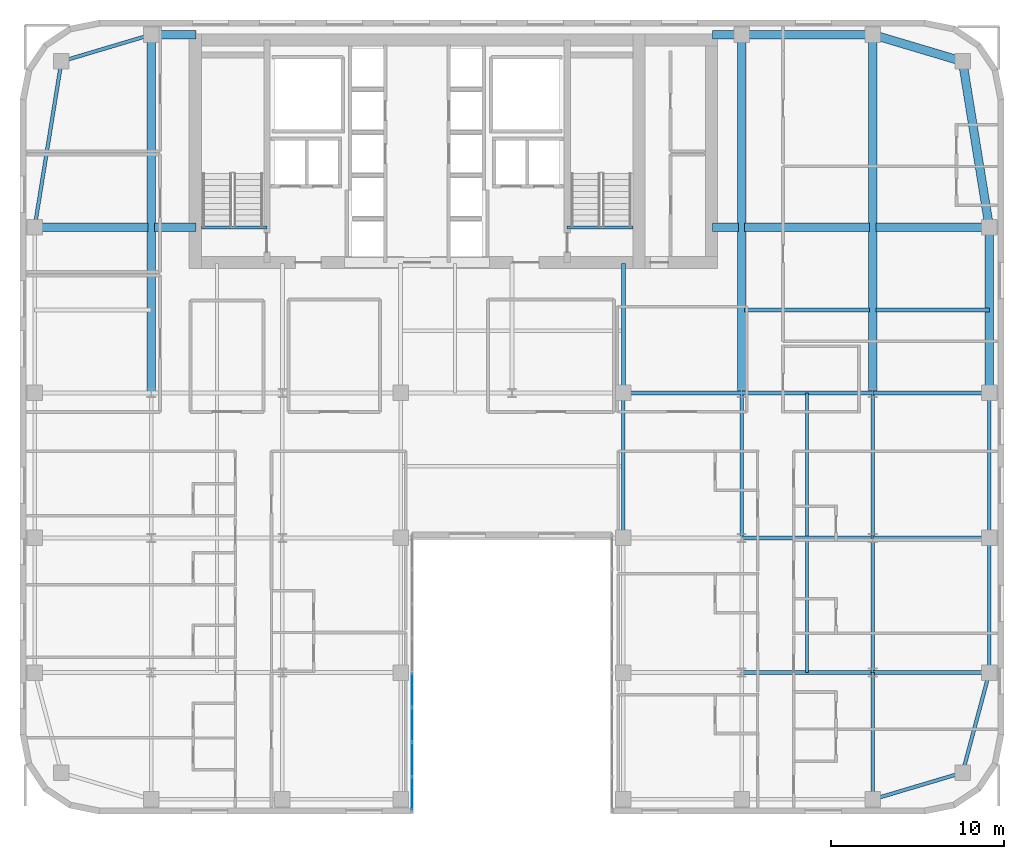
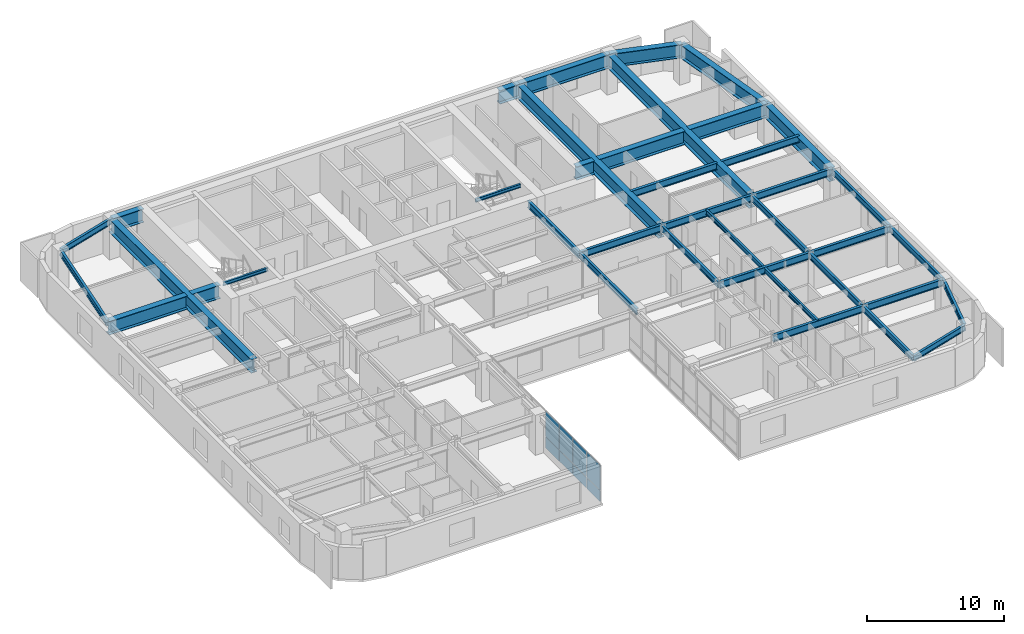
# One storey, part 8 of 17: 39 beams, 8 plates, 1 element without a shape of its own.
"""IFC4 building model written with IfcOpenShell, lengths in metres."""

from ifc_helpers import new_model, si_unit, direction, frame, origin, origin_2d, place, context, subcontext, project, spatial, rectangle, i_section, extrude, source, transform, mapped, material, layer, layer_set, material_profile, profile_set, type_object, type_shapes, element, aggregate, save


model = new_model("IFC4")

# Units and contexts
model_context = context("Model", 3, precision=1e-05, world=origin(), true_north=direction((0.0, 1.0)))
body_context = subcontext(model_context, "Body", "Model", "MODEL_VIEW")
ifc_project = project(units=[si_unit("LENGTHUNIT", "METRE"), si_unit("AREAUNIT", "SQUARE_METRE"), si_unit("VOLUMEUNIT", "CUBIC_METRE"), si_unit("PLANEANGLEUNIT", "RADIAN"), si_unit("MASSUNIT", "GRAM", prefix="KILO")], contexts=[model_context])

# Site, building, storey
site_placement = place(None, origin())
site = spatial("IfcSite", under=ifc_project, at=site_placement, CompositionType="ELEMENT")
building_placement = place(site_placement, origin())
building = spatial("IfcBuilding", under=site, at=building_placement, Name="Tolvann Quenvar Hotel", CompositionType="ELEMENT")
storey_placement = place(building_placement, frame((0.0, 0.0, 108.0)))
storey = spatial("IfcBuildingStorey", under=building, at=storey_placement, Name="L27", CompositionType="ELEMENT", Elevation=108.0)

# Beams
ifc_material_1 = material(Name="Steel Grade 350", Category="steel")
ifc_material_profile_1 = material_profile(ifc_material_1, i_section(OverallWidth=0.5, OverallDepth=1.199951171875, WebThickness=0.01611328125, FlangeThickness=0.0400390625, at=origin_2d()), Name="1200WB455")
ifc_profile_set_1 = profile_set([ifc_material_profile_1], Name="Steel Grade 350")
beam_type_1 = type_object("IfcBeamType", Name="BM_TG_1200WB455", PredefinedType="USERDEFINED", material=ifc_profile_set_1)
shared_shape_1 = source(origin(), body_context, "Body", "SweptSolid", [
    extrude(i_section(OverallWidth=0.5, OverallDepth=1.199951171875, WebThickness=0.01611328125, FlangeThickness=0.0400390625, at=origin_2d()), origin(), (0.0, 0.0, 1.0), 7.599853515625),
])
beam_1_placement = place(storey_placement, frame((49.39990234375, 45.14990234375, 2.77001953125), z_axis=(-1.0, 0.0, 0.0), x_axis=(0.0, -1.0, 0.0)))
element("IfcBeam", 1, at=beam_1_placement, inside=storey, type_object=beam_type_1, Name="BM-L27-FLK-E4", ObjectType="TRANSFER GIRDER", PredefinedType="USERDEFINED", context=body_context, shape_type="MappedRepresentation", body=[
    mapped(shared_shape_1, transform((0.0, 0.0, 0.0), x_axis=(1.0, 0.0, 0.0), y_axis=(0.0, 1.0, 0.0), z_axis=(0.0, 0.0, 1.0), scale=1.0)),
])
shared_shape_2 = source(origin(), body_context, "Body", "SweptSolid", [
    extrude(i_section(OverallWidth=0.5, OverallDepth=1.199951171875, WebThickness=0.01611328125, FlangeThickness=0.0400390625, at=origin_2d()), origin(), (0.0, 0.0, 1.0), 9.60009765625),
])
beam_2_placement = place(storey_placement, frame((56.14990234375, 24.39990234375, 2.77001953125), z_axis=(0.0, 1.0, 0.0), x_axis=(-1.0, 0.0, 0.0)))
element("IfcBeam", 2, at=beam_2_placement, inside=storey, type_object=beam_type_1, Name="BM-L27-FLK-E1", ObjectType="TRANSFER GIRDER", PredefinedType="USERDEFINED", context=body_context, shape_type="MappedRepresentation", body=[
    mapped(shared_shape_2, transform((0.0, 0.0, 0.0), x_axis=(1.0, 0.0, 0.0), y_axis=(0.0, 1.0, 0.0), z_axis=(0.0, 0.0, 1.0), scale=1.0)),
])
ifc_material_profile_2 = material_profile(ifc_material_1, i_section(OverallWidth=0.208984375, OverallDepth=0.528076171875, WebThickness=0.009521484375, FlangeThickness=0.01318359375, FilletRadius=0.013916015625, at=origin_2d()), Name="530UB82")
ifc_profile_set_2 = profile_set([ifc_material_profile_2], Name="Steel Grade 350")
beam_type_2 = type_object("IfcBeamType", Name="BM_SPAND_530UB82", PredefinedType="SPANDREL", material=ifc_profile_set_2)
shared_shape_3 = source(origin(), body_context, "Body", "SweptSolid", [
    extrude(i_section(OverallWidth=0.208984375, OverallDepth=0.528076171875, WebThickness=0.009521484375, FlangeThickness=0.01318359375, FilletRadius=0.013916015625, at=origin_2d()), origin(), (0.0, 0.0, 1.0), 5.42626953125),
])
for number, where, z_axis, x_axis, name in (
    (3, (49.39990234375, 0.85009765625, 3.10595703125), (0.958344815522, 0.285613750654, 0.0), (-0.285613750654, 0.958344815522, 0.0), "BM-L27-EW-2-I2-J2"),
    (4, (2.39990234375, 43.60009765625, 3.10595703125), (0.958344815522, 0.285613750654, 0.0), (-0.285613750654, 0.958344815522, 0.0), "BM-L27-FLK-W3"),
):
    element("IfcBeam", number, at=place(storey_placement, frame(where, z_axis=z_axis, x_axis=x_axis)), inside=storey, type_object=beam_type_2, Name=name, PredefinedType="SPANDREL", context=body_context, shape_type="MappedRepresentation", body=[
        mapped(shared_shape_3, transform((0.0, 0.0, 0.0), x_axis=(1.0, 0.0, 0.0), y_axis=(0.0, 1.0, 0.0), z_axis=(0.0, 0.0, 1.0), scale=1.0)),
    ])
ifc_material_profile_3 = material_profile(ifc_material_1, i_section(OverallWidth=0.22900390625, OverallDepth=0.612060546875, WebThickness=0.011962890625, FlangeThickness=0.01953125, FilletRadius=0.013916015625, at=origin_2d()), Name="610UB125")
ifc_profile_set_3 = profile_set([ifc_material_profile_3], Name="Steel Grade 350")
beam_type_3 = type_object("IfcBeamType", Name="BM_GIRD_610UB125", PredefinedType="BEAM", material=ifc_profile_set_3)
shared_shape_4 = source(origin(), body_context, "Body", "SweptSolid", [
    extrude(i_section(OverallWidth=0.22900390625, OverallDepth=0.612060546875, WebThickness=0.011962890625, FlangeThickness=0.01953125, FilletRadius=0.013916015625, at=origin_2d()), origin(), (0.0, 0.0, 1.0), 6.75),
])
for number, where, z_axis, x_axis, name in (
    (5, (49.39990234375, 8.199951171875, 3.06396484375), (1.0, 0.0, 0.0), (0.0, 1.0, 0.0), "BM-L27-EW-3-I3-J3"),
    (6, (49.39990234375, 16.0, 3.06396484375), (1.0, 0.0, 0.0), (0.0, 1.0, 0.0), "BM-L27-EW-4-I4-J4"),
    (7, (49.39990234375, 24.39990234375, 3.06396484375), (1.0, 0.0, 0.0), (0.0, 1.0, 0.0), "BM-L27-EW-5-I5-J5"),
):
    element("IfcBeam", number, at=place(storey_placement, frame(where, z_axis=z_axis, x_axis=x_axis)), inside=storey, type_object=beam_type_3, Name=name, PredefinedType="BEAM", context=body_context, shape_type="MappedRepresentation", body=[
        mapped(shared_shape_4, transform((0.0, 0.0, 0.0), x_axis=(1.0, 0.0, 0.0), y_axis=(0.0, 1.0, 0.0), z_axis=(0.0, 0.0, 1.0), scale=1.0)),
    ])
shared_shape_5 = source(origin(), body_context, "Body", "SweptSolid", [
    extrude(i_section(OverallWidth=0.22900390625, OverallDepth=0.612060546875, WebThickness=0.011962890625, FlangeThickness=0.01953125, FilletRadius=0.013916015625, at=origin_2d()), origin(), (0.0, 0.0, 1.0), 7.599853515625),
])
for number, where, z_axis, x_axis, name in (
    (8, (41.800048828125, 8.199951171875, 3.06396484375), (1.0, 0.0, 0.0), (0.0, 1.0, 0.0), "BM-L27-EW-3-H3-I3"),
    (9, (41.800048828125, 16.0, 3.06396484375), (1.0, 0.0, 0.0), (0.0, 1.0, 0.0), "BM-L27-EW-4-H4-I4"),
    (10, (41.800048828125, 24.39990234375, 3.06396484375), (1.0, 0.0, 0.0), (0.0, 1.0, 0.0), "BM-L27-EW-5-H5-I5"),
):
    element("IfcBeam", number, at=place(storey_placement, frame(where, z_axis=z_axis, x_axis=x_axis)), inside=storey, type_object=beam_type_3, Name=name, PredefinedType="BEAM", context=body_context, shape_type="MappedRepresentation", body=[
        mapped(shared_shape_5, transform((0.0, 0.0, 0.0), x_axis=(1.0, 0.0, 0.0), y_axis=(0.0, 1.0, 0.0), z_axis=(0.0, 0.0, 1.0), scale=1.0)),
    ])
shared_shape_6 = source(origin(), body_context, "Body", "SweptSolid", [
    extrude(i_section(OverallWidth=0.22900390625, OverallDepth=0.612060546875, WebThickness=0.011962890625, FlangeThickness=0.01953125, FilletRadius=0.013916015625, at=origin_2d()), origin(), (0.0, 0.0, 1.0), 6.85009765625),
])
beam_3_placement = place(storey_placement, frame((34.949951171875, 24.39990234375, 3.06396484375), z_axis=(1.0, 0.0, 0.0), x_axis=(0.0, 1.0, 0.0)))
element("IfcBeam", 11, at=beam_3_placement, inside=storey, type_object=beam_type_3, Name="BM-L27-EW-5-F5-H5", PredefinedType="BEAM", context=body_context, shape_type="MappedRepresentation", body=[
    mapped(shared_shape_6, transform((0.0, 0.0, 0.0), x_axis=(1.0, 0.0, 0.0), y_axis=(0.0, 1.0, 0.0), z_axis=(0.0, 0.0, 1.0), scale=1.0)),
])
shared_shape_7 = source(origin(), body_context, "Body", "SweptSolid", [
    extrude(i_section(OverallWidth=0.208984375, OverallDepth=0.528076171875, WebThickness=0.009521484375, FlangeThickness=0.01318359375, FilletRadius=0.013916015625, at=origin_2d()), origin(), (0.0, 0.0, 1.0), 6.00341796875),
])
beam_4_placement = place(storey_placement, frame((54.60009765625, 2.39990234375, 3.10595703125), z_axis=(0.258148586649, 0.966105225745, 0.0), x_axis=(-0.966105225745, 0.258148586649, 0.0)))
element("IfcBeam", 12, at=beam_4_placement, inside=storey, type_object=beam_type_2, Name="BM-L27-NS-J2-J3", PredefinedType="SPANDREL", context=body_context, shape_type="MappedRepresentation", body=[
    mapped(shared_shape_7, transform((0.0, 0.0, 0.0), x_axis=(1.0, 0.0, 0.0), y_axis=(0.0, 1.0, 0.0), z_axis=(0.0, 0.0, 1.0), scale=1.0)),
])
shared_shape_8 = source(origin(), body_context, "Body", "SweptSolid", [
    extrude(i_section(OverallWidth=0.208984375, OverallDepth=0.528076171875, WebThickness=0.009521484375, FlangeThickness=0.01318359375, FilletRadius=0.013916015625, at=origin_2d()), origin(), (0.0, 0.0, 1.0), 7.800048828125),
])
beam_5_placement = place(storey_placement, frame((56.14990234375, 8.199951171875, 3.10595703125), z_axis=(0.0, 1.0, 0.0), x_axis=(-1.0, 0.0, 0.0)))
element("IfcBeam", 13, at=beam_5_placement, inside=storey, type_object=beam_type_2, Name="BM-L27-NS-J3-J4", PredefinedType="SPANDREL", context=body_context, shape_type="MappedRepresentation", body=[
    mapped(shared_shape_8, transform((0.0, 0.0, 0.0), x_axis=(1.0, 0.0, 0.0), y_axis=(0.0, 1.0, 0.0), z_axis=(0.0, 0.0, 1.0), scale=1.0)),
])
shared_shape_9 = source(origin(), body_context, "Body", "SweptSolid", [
    extrude(i_section(OverallWidth=0.208984375, OverallDepth=0.528076171875, WebThickness=0.009521484375, FlangeThickness=0.01318359375, FilletRadius=0.013916015625, at=origin_2d()), origin(), (0.0, 0.0, 1.0), 8.39990234375),
])
beam_6_placement = place(storey_placement, frame((56.14990234375, 16.0, 3.10595703125), z_axis=(0.0, 1.0, 0.0), x_axis=(-1.0, 0.0, 0.0)))
element("IfcBeam", 14, at=beam_6_placement, inside=storey, type_object=beam_type_2, Name="BM-L27-NS-J4-J5", PredefinedType="SPANDREL", context=body_context, shape_type="MappedRepresentation", body=[
    mapped(shared_shape_9, transform((0.0, 0.0, 0.0), x_axis=(1.0, 0.0, 0.0), y_axis=(0.0, 1.0, 0.0), z_axis=(0.0, 0.0, 1.0), scale=1.0)),
])
ifc_material_profile_4 = material_profile(ifc_material_1, i_section(OverallWidth=0.208984375, OverallDepth=0.532958984375, WebThickness=0.01025390625, FlangeThickness=0.015625, FilletRadius=0.013916015625, at=origin_2d()), Name="530UB92")
ifc_profile_set_4 = profile_set([ifc_material_profile_4], Name="Steel Grade 350")
beam_type_4 = type_object("IfcBeamType", Name="BM_GIRD_530UB92", PredefinedType="BEAM", material=ifc_profile_set_4)
shared_shape_10 = source(origin(), body_context, "Body", "SweptSolid", [
    extrude(i_section(OverallWidth=0.208984375, OverallDepth=0.532958984375, WebThickness=0.01025390625, FlangeThickness=0.015625, FilletRadius=0.013916015625, at=origin_2d()), origin(), (0.0, 0.0, 1.0), 7.349853515625),
])
beam_7_placement = place(storey_placement, frame((49.39990234375, 0.85009765625, 3.103515625), z_axis=(0.0, 1.0, 0.0), x_axis=(-1.0, 0.0, 0.0)))
element("IfcBeam", 15, at=beam_7_placement, inside=storey, type_object=beam_type_4, Name="BM-L27-NS-I2-I3", PredefinedType="BEAM", context=body_context, shape_type="MappedRepresentation", body=[
    mapped(shared_shape_10, transform((0.0, 0.0, 0.0), x_axis=(1.0, 0.0, 0.0), y_axis=(0.0, 1.0, 0.0), z_axis=(0.0, 0.0, 1.0), scale=1.0)),
])
shared_shape_11 = source(origin(), body_context, "Body", "SweptSolid", [
    extrude(i_section(OverallWidth=0.208984375, OverallDepth=0.532958984375, WebThickness=0.01025390625, FlangeThickness=0.015625, FilletRadius=0.013916015625, at=origin_2d()), origin(), (0.0, 0.0, 1.0), 7.800048828125),
])
beam_8_placement = place(storey_placement, frame((49.39990234375, 8.199951171875, 3.103515625), z_axis=(0.0, 1.0, 0.0), x_axis=(-1.0, 0.0, 0.0)))
element("IfcBeam", 16, at=beam_8_placement, inside=storey, type_object=beam_type_4, Name="BM-L27-NS-I3-I4", PredefinedType="BEAM", context=body_context, shape_type="MappedRepresentation", body=[
    mapped(shared_shape_11, transform((0.0, 0.0, 0.0), x_axis=(1.0, 0.0, 0.0), y_axis=(0.0, 1.0, 0.0), z_axis=(0.0, 0.0, 1.0), scale=1.0)),
])
shared_shape_12 = source(origin(), body_context, "Body", "SweptSolid", [
    extrude(i_section(OverallWidth=0.208984375, OverallDepth=0.532958984375, WebThickness=0.01025390625, FlangeThickness=0.015625, FilletRadius=0.013916015625, at=origin_2d()), origin(), (0.0, 0.0, 1.0), 8.39990234375),
])
type_shapes(beam_type_4, [shared_shape_10, shared_shape_11, shared_shape_12])
for number, where, z_axis, x_axis, name in (
    (17, (34.949951171875, 16.0, 3.103515625), (0.0, 1.0, 0.0), (-1.0, 0.0, 0.0), "BM-L27-NS-F4-F5"),
    (18, (41.800048828125, 16.0, 3.103515625), (0.0, 1.0, 0.0), (-1.0, 0.0, 0.0), "BM-L27-NS-H4-H5"),
    (19, (49.39990234375, 16.0, 3.103515625), (0.0, 1.0, 0.0), (-1.0, 0.0, 0.0), "BM-L27-NS-I4-I5"),
):
    element("IfcBeam", number, at=place(storey_placement, frame(where, z_axis=z_axis, x_axis=x_axis)), inside=storey, type_object=beam_type_4, Name=name, PredefinedType="BEAM", context=body_context, shape_type="MappedRepresentation", body=[
        mapped(shared_shape_12, transform((0.0, 0.0, 0.0), x_axis=(1.0, 0.0, 0.0), y_axis=(0.0, 1.0, 0.0), z_axis=(0.0, 0.0, 1.0), scale=1.0)),
    ])
shared_shape_13 = source(origin(), body_context, "Body", "SweptSolid", [
    extrude(i_section(OverallWidth=0.22900390625, OverallDepth=0.612060546875, WebThickness=0.011962890625, FlangeThickness=0.01953125, FilletRadius=0.013916015625, at=origin_2d()), origin(), (0.0, 0.0, 1.0), 7.5),
])
beam_9_placement = place(storey_placement, frame((34.949951171875, 24.39990234375, 3.06396484375), z_axis=(0.0, 1.0, 0.0), x_axis=(-1.0, 0.0, 0.0)))
element("IfcBeam", 20, at=beam_9_placement, inside=storey, type_object=beam_type_3, Name="BM-L27-CORE-F5", PredefinedType="BEAM", context=body_context, shape_type="MappedRepresentation", body=[
    mapped(shared_shape_13, transform((0.0, 0.0, 0.0), x_axis=(1.0, 0.0, 0.0), y_axis=(0.0, 1.0, 0.0), z_axis=(0.0, 0.0, 1.0), scale=1.0)),
])
shared_shape_14 = source(origin(), body_context, "Body", "SweptSolid", [
    extrude(i_section(OverallWidth=0.208984375, OverallDepth=0.528076171875, WebThickness=0.009521484375, FlangeThickness=0.01318359375, FilletRadius=0.013916015625, at=origin_2d()), origin(), (0.0, 0.0, 1.0), 9.724365234375),
])
type_shapes(beam_type_2, [shared_shape_3, shared_shape_7, shared_shape_8, shared_shape_9, shared_shape_14])
beam_10_placement = place(storey_placement, frame((0.85009765625, 34.0, 3.10595703125), z_axis=(0.159372939192, 0.987218449105, 0.0), x_axis=(-0.987218449105, 0.159372939192, 0.0)))
element("IfcBeam", 21, at=beam_10_placement, inside=storey, type_object=beam_type_2, Name="BM-L27-FLK-W2", PredefinedType="SPANDREL", context=body_context, shape_type="MappedRepresentation", body=[
    mapped(shared_shape_14, transform((0.0, 0.0, 0.0), x_axis=(1.0, 0.0, 0.0), y_axis=(0.0, 1.0, 0.0), z_axis=(0.0, 0.0, 1.0), scale=1.0)),
])
shared_shape_15 = source(origin(), body_context, "Body", "SweptSolid", [
    extrude(i_section(OverallWidth=0.5, OverallDepth=1.199951171875, WebThickness=0.01611328125, FlangeThickness=0.0400390625, at=origin_2d()), origin(), (0.0, 0.0, 1.0), 20.75),
])
for number, where, z_axis, x_axis, name in (
    (22, (7.60009765625, 24.39990234375, 2.77001953125), (0.0, 1.0, 0.0), (-1.0, 0.0, 0.0), "BM-L27-FLK-WC"),
    (23, (41.800048828125, 24.39990234375, 2.77001953125), (0.0, 1.0, 0.0), (-1.0, 0.0, 0.0), "BM-L27-FLK-EH"),
    (24, (49.39990234375, 24.39990234375, 2.77001953125), (0.0, 1.0, 0.0), (-1.0, 0.0, 0.0), "BM-L27-FLK-EI"),
):
    element("IfcBeam", number, at=place(storey_placement, frame(where, z_axis=z_axis, x_axis=x_axis)), inside=storey, type_object=beam_type_1, Name=name, ObjectType="TRANSFER GIRDER", PredefinedType="USERDEFINED", context=body_context, shape_type="MappedRepresentation", body=[
        mapped(shared_shape_15, transform((0.0, 0.0, 0.0), x_axis=(1.0, 0.0, 0.0), y_axis=(0.0, 1.0, 0.0), z_axis=(0.0, 0.0, 1.0), scale=1.0)),
    ])
shared_shape_16 = source(origin(), body_context, "Body", "SweptSolid", [
    extrude(i_section(OverallWidth=0.5, OverallDepth=1.199951171875, WebThickness=0.01611328125, FlangeThickness=0.0400390625, at=origin_2d()), origin(), (0.0, 0.0, 1.0), 6.56982421875),
])
for number, where, z_axis, x_axis, name in (
    (25, (0.85009765625, 34.0, 2.77001953125), (1.0, 0.0, 0.0), (0.0, 1.0, 0.0), "BM-L27-CTW-MID1"),
    (26, (49.580078125, 34.0, 2.77001953125), (1.0, 0.0, 0.0), (0.0, 1.0, 0.0), "BM-L27-CTE-JD6C"),
):
    element("IfcBeam", number, at=place(storey_placement, frame(where, z_axis=z_axis, x_axis=x_axis)), inside=storey, type_object=beam_type_1, Name=name, ObjectType="TRANSFER GIRDER", PredefinedType="USERDEFINED", context=body_context, shape_type="MappedRepresentation", body=[
        mapped(shared_shape_16, transform((0.0, 0.0, 0.0), x_axis=(1.0, 0.0, 0.0), y_axis=(0.0, 1.0, 0.0), z_axis=(0.0, 0.0, 1.0), scale=1.0)),
    ])
shared_shape_17 = source(origin(), body_context, "Body", "SweptSolid", [
    extrude(i_section(OverallWidth=0.5, OverallDepth=1.199951171875, WebThickness=0.01611328125, FlangeThickness=0.0400390625, at=origin_2d()), origin(), (0.0, 0.0, 1.0), 2.419921875),
])
beam_11_placement = place(storey_placement, frame((7.780029296875, 34.0, 2.77001953125), z_axis=(1.0, 0.0, 0.0), x_axis=(0.0, 1.0, 0.0)))
element("IfcBeam", 27, at=beam_11_placement, inside=storey, type_object=beam_type_1, Name="BM-L27-CTW-MID2", ObjectType="TRANSFER GIRDER", PredefinedType="USERDEFINED", context=body_context, shape_type="MappedRepresentation", body=[
    mapped(shared_shape_17, transform((0.0, 0.0, 0.0), x_axis=(1.0, 0.0, 0.0), y_axis=(0.0, 1.0, 0.0), z_axis=(0.0, 0.0, 1.0), scale=1.0)),
])
shared_shape_18 = source(origin(), body_context, "Body", "SweptSolid", [
    extrude(i_section(OverallWidth=0.5, OverallDepth=1.199951171875, WebThickness=0.01611328125, FlangeThickness=0.0400390625, at=origin_2d()), origin(), (0.0, 0.0, 1.0), 2.599853515625),
])
beam_12_placement = place(storey_placement, frame((7.60009765625, 45.14990234375, 2.77001953125), z_axis=(1.0, 0.0, 0.0), x_axis=(0.0, 1.0, 0.0)))
element("IfcBeam", 28, at=beam_12_placement, inside=storey, type_object=beam_type_1, Name="BM-L27-CTW-CN", ObjectType="TRANSFER GIRDER", PredefinedType="USERDEFINED", context=body_context, shape_type="MappedRepresentation", body=[
    mapped(shared_shape_18, transform((0.0, 0.0, 0.0), x_axis=(1.0, 0.0, 0.0), y_axis=(0.0, 1.0, 0.0), z_axis=(0.0, 0.0, 1.0), scale=1.0)),
])
shared_shape_19 = source(origin(), body_context, "Body", "SweptSolid", [
    extrude(i_section(OverallWidth=0.5, OverallDepth=1.199951171875, WebThickness=0.01611328125, FlangeThickness=0.0400390625, at=origin_2d()), origin(), (0.0, 0.0, 1.0), 9.724365234375),
])
beam_13_placement = place(storey_placement, frame((56.14990234375, 34.0, 2.77001953125), z_axis=(-0.159372939192, 0.987218449105, 0.0), x_axis=(-0.987218449105, -0.159372939192, 0.0)))
element("IfcBeam", 29, at=beam_13_placement, inside=storey, type_object=beam_type_1, Name="BM-L27-FLK-E2", ObjectType="TRANSFER GIRDER", PredefinedType="USERDEFINED", context=body_context, shape_type="MappedRepresentation", body=[
    mapped(shared_shape_19, transform((0.0, 0.0, 0.0), x_axis=(1.0, 0.0, 0.0), y_axis=(0.0, 1.0, 0.0), z_axis=(0.0, 0.0, 1.0), scale=1.0)),
])
shared_shape_20 = source(origin(), body_context, "Body", "SweptSolid", [
    extrude(i_section(OverallWidth=0.5, OverallDepth=1.199951171875, WebThickness=0.01611328125, FlangeThickness=0.0400390625, at=origin_2d()), origin(), (0.0, 0.0, 1.0), 5.42626953125),
])
beam_14_placement = place(storey_placement, frame((54.60009765625, 43.60009765625, 2.77001953125), z_axis=(-0.958344815522, 0.285613750654, 0.0), x_axis=(-0.285613750654, -0.958344815522, 0.0)))
element("IfcBeam", 30, at=beam_14_placement, inside=storey, type_object=beam_type_1, Name="BM-L27-FLK-E3", ObjectType="TRANSFER GIRDER", PredefinedType="USERDEFINED", context=body_context, shape_type="MappedRepresentation", body=[
    mapped(shared_shape_20, transform((0.0, 0.0, 0.0), x_axis=(1.0, 0.0, 0.0), y_axis=(0.0, 1.0, 0.0), z_axis=(0.0, 0.0, 1.0), scale=1.0)),
])
shared_shape_21 = source(origin(), body_context, "Body", "SweptSolid", [
    extrude(i_section(OverallWidth=0.5, OverallDepth=1.199951171875, WebThickness=0.01611328125, FlangeThickness=0.0400390625, at=origin_2d()), origin(), (0.0, 0.0, 1.0), 1.699951171875),
])
beam_15_placement = place(storey_placement, frame((40.10009765625, 45.14990234375, 2.77001953125), z_axis=(1.0, 0.0, 0.0), x_axis=(0.0, 1.0, 0.0)))
element("IfcBeam", 31, at=beam_15_placement, inside=storey, type_object=beam_type_1, Name="BM-L27-CTE-HN", ObjectType="TRANSFER GIRDER", PredefinedType="USERDEFINED", context=body_context, shape_type="MappedRepresentation", body=[
    mapped(shared_shape_21, transform((0.0, 0.0, 0.0), x_axis=(1.0, 0.0, 0.0), y_axis=(0.0, 1.0, 0.0), z_axis=(0.0, 0.0, 1.0), scale=1.0)),
])
shared_shape_22 = source(origin(), body_context, "Body", "SweptSolid", [
    extrude(i_section(OverallWidth=0.5, OverallDepth=1.199951171875, WebThickness=0.01611328125, FlangeThickness=0.0400390625, at=origin_2d()), origin(), (0.0, 0.0, 1.0), 1.52001953125),
])
beam_16_placement = place(storey_placement, frame((40.10009765625, 34.0, 2.77001953125), z_axis=(1.0, 0.0, 0.0), x_axis=(0.0, 1.0, 0.0)))
element("IfcBeam", 32, at=beam_16_placement, inside=storey, type_object=beam_type_1, Name="BM-L27-CTE-JD6A", ObjectType="TRANSFER GIRDER", PredefinedType="USERDEFINED", context=body_context, shape_type="MappedRepresentation", body=[
    mapped(shared_shape_22, transform((0.0, 0.0, 0.0), x_axis=(1.0, 0.0, 0.0), y_axis=(0.0, 1.0, 0.0), z_axis=(0.0, 0.0, 1.0), scale=1.0)),
])
shared_shape_23 = source(origin(), body_context, "Body", "SweptSolid", [
    extrude(i_section(OverallWidth=0.5, OverallDepth=1.199951171875, WebThickness=0.01611328125, FlangeThickness=0.0400390625, at=origin_2d()), origin(), (0.0, 0.0, 1.0), 7.239990234375),
])
type_shapes(beam_type_1, [shared_shape_1, shared_shape_2, shared_shape_15, shared_shape_16, shared_shape_17, shared_shape_18, shared_shape_19, shared_shape_20, shared_shape_21, shared_shape_22, shared_shape_23])
beam_17_placement = place(storey_placement, frame((41.97998046875, 34.0, 2.77001953125), z_axis=(1.0, 0.0, 0.0), x_axis=(0.0, 1.0, 0.0)))
element("IfcBeam", 33, at=beam_17_placement, inside=storey, type_object=beam_type_1, Name="BM-L27-CTE-JD6B", ObjectType="TRANSFER GIRDER", PredefinedType="USERDEFINED", context=body_context, shape_type="MappedRepresentation", body=[
    mapped(shared_shape_23, transform((0.0, 0.0, 0.0), x_axis=(1.0, 0.0, 0.0), y_axis=(0.0, 1.0, 0.0), z_axis=(0.0, 0.0, 1.0), scale=1.0)),
])
shared_shape_24 = source(origin(), body_context, "Body", "SweptSolid", [
    extrude(i_section(OverallWidth=0.22900390625, OverallDepth=0.612060546875, WebThickness=0.011962890625, FlangeThickness=0.01953125, FilletRadius=0.013916015625, at=origin_2d()), origin(), (0.0, 0.0, 1.0), 7.239990234375),
])
beam_18_placement = place(storey_placement, frame((41.97998046875, 29.199951171875, 3.06396484375), z_axis=(1.0, 0.0, 0.0), x_axis=(0.0, 1.0, 0.0)))
element("IfcBeam", 34, at=beam_18_placement, inside=storey, type_object=beam_type_3, Name="BM-L27-EW-HI29", PredefinedType="BEAM", context=body_context, shape_type="MappedRepresentation", body=[
    mapped(shared_shape_24, transform((0.0, 0.0, 0.0), x_axis=(1.0, 0.0, 0.0), y_axis=(0.0, 1.0, 0.0), z_axis=(0.0, 0.0, 1.0), scale=1.0)),
])
shared_shape_25 = source(origin(), body_context, "Body", "SweptSolid", [
    extrude(i_section(OverallWidth=0.22900390625, OverallDepth=0.612060546875, WebThickness=0.011962890625, FlangeThickness=0.01953125, FilletRadius=0.013916015625, at=origin_2d()), origin(), (0.0, 0.0, 1.0), 6.56982421875),
])
type_shapes(beam_type_3, [shared_shape_4, shared_shape_5, shared_shape_6, shared_shape_13, shared_shape_24, shared_shape_25])
beam_19_placement = place(storey_placement, frame((49.580078125, 29.199951171875, 3.06396484375), z_axis=(1.0, 0.0, 0.0), x_axis=(0.0, 1.0, 0.0)))
element("IfcBeam", 35, at=beam_19_placement, inside=storey, type_object=beam_type_3, Name="BM-L27-EW-IJ29", PredefinedType="BEAM", context=body_context, shape_type="MappedRepresentation", body=[
    mapped(shared_shape_25, transform((0.0, 0.0, 0.0), x_axis=(1.0, 0.0, 0.0), y_axis=(0.0, 1.0, 0.0), z_axis=(0.0, 0.0, 1.0), scale=1.0)),
])
ifc_material_profile_5 = material_profile(ifc_material_1, i_section(OverallWidth=0.177978515625, OverallDepth=0.406005859375, WebThickness=0.0078125, FlangeThickness=0.0126953125, FilletRadius=0.011474609375, at=origin_2d()), Name="410UB60")
ifc_profile_set_5 = profile_set([ifc_material_profile_5], Name="Steel Grade 350")
beam_type_5 = type_object("IfcBeamType", Name="BM_JOIST_410UB60", PredefinedType="JOIST", material=ifc_profile_set_5)
shared_shape_26 = source(origin(), body_context, "Body", "SweptSolid", [
    extrude(i_section(OverallWidth=0.177978515625, OverallDepth=0.406005859375, WebThickness=0.0078125, FlangeThickness=0.0126953125, FilletRadius=0.011474609375, at=origin_2d()), origin(), (0.0, 0.0, 1.0), 7.691650390625),
])
beam_20_placement = place(storey_placement, frame((45.60009765625, 8.199951171875, 3.1669921875), z_axis=(0.0, 1.0, 0.0), x_axis=(-1.0, 0.0, 0.0)))
element("IfcBeam", 36, at=beam_20_placement, inside=storey, type_object=beam_type_5, Name="BJ-L27-456-82", PredefinedType="JOIST", context=body_context, shape_type="MappedRepresentation", body=[
    mapped(shared_shape_26, transform((0.0, 0.0, 0.0), x_axis=(1.0, 0.0, 0.0), y_axis=(0.0, 1.0, 0.0), z_axis=(0.0, 0.0, 1.0), scale=1.0)),
])
shared_shape_27 = source(origin(), body_context, "Body", "SweptSolid", [
    extrude(i_section(OverallWidth=0.177978515625, OverallDepth=0.406005859375, WebThickness=0.0078125, FlangeThickness=0.0126953125, FilletRadius=0.011474609375, at=origin_2d()), origin(), (0.0, 0.0, 1.0), 8.29150390625),
])
type_shapes(beam_type_5, [shared_shape_26, shared_shape_27])
beam_21_placement = place(storey_placement, frame((45.60009765625, 16.1083984375, 3.1669921875), z_axis=(0.0, 1.0, 0.0), x_axis=(-1.0, 0.0, 0.0)))
element("IfcBeam", 37, at=beam_21_placement, inside=storey, type_object=beam_type_5, Name="BJ-L27-456-160", PredefinedType="JOIST", context=body_context, shape_type="MappedRepresentation", body=[
    mapped(shared_shape_27, transform((0.0, 0.0, 0.0), x_axis=(1.0, 0.0, 0.0), y_axis=(0.0, 1.0, 0.0), z_axis=(0.0, 0.0, 1.0), scale=1.0)),
])
ifc_material_profile_6 = material_profile(ifc_material_1, i_section(OverallWidth=0.166015625, OverallDepth=0.306884765625, WebThickness=0.006591796875, FlangeThickness=0.01171875, FilletRadius=0.011474609375, at=origin_2d()), Name="310UB46")
ifc_profile_set_6 = profile_set([ifc_material_profile_6], Name="Steel Grade 350")
beam_type_6 = type_object("IfcBeamType", Name="BM_JOIST_310UB46", PredefinedType="JOIST", material=ifc_profile_set_6)
shared_shape_28 = source(origin(), body_context, "Body", "SweptSolid", [
    extrude(i_section(OverallWidth=0.166015625, OverallDepth=0.306884765625, WebThickness=0.006591796875, FlangeThickness=0.01171875, FilletRadius=0.011474609375, at=origin_2d()), origin(), (0.0, 0.0, 1.0), 3.800048828125),
])
type_shapes(beam_type_6, [shared_shape_28])
for number, where, z_axis, x_axis, name in (
    (38, (10.5, 33.97998046875, 3.216552734375), (1.0, 0.0, 0.0), (0.0, 1.0, 0.0), "BM-HDR-STC1-L28"),
    (39, (31.699951171875, 33.97998046875, 3.216552734375), (1.0, 0.0, 0.0), (0.0, 1.0, 0.0), "BM-HDR-STC2-L28"),
):
    element("IfcBeam", number, at=place(storey_placement, frame(where, z_axis=z_axis, x_axis=x_axis)), inside=storey, type_object=beam_type_6, Name=name, PredefinedType="JOIST", context=body_context, shape_type="MappedRepresentation", body=[
        mapped(shared_shape_28, transform((0.0, 0.0, 0.0), x_axis=(1.0, 0.0, 0.0), y_axis=(0.0, 1.0, 0.0), z_axis=(0.0, 0.0, 1.0), scale=1.0)),
    ])

# Curtain wall, plates
ifc_material_2 = material(Name="Thermally broken anodised architectural aluminium 6063-T6 and laminated low-E glass", Category="aluminium")
ifc_layer_1 = layer(ifc_material_2, 0.179931640625)
ifc_layer_set_1 = layer_set([ifc_layer_1], Name="Thermally broken anodised architectural aluminium 6063-T6 and laminated low-E glass")
curtain_wall_type = type_object("IfcCurtainWallType", Name="CW_SYS_SLOT_03", PredefinedType="USERDEFINED", material=ifc_layer_set_1)
curtain_wall_placement = place(storey_placement, origin())
curtain_wall = element("IfcCurtainWall", 40, at=curtain_wall_placement, inside=storey, type_object=curtain_wall_type, Name="Curtain Wall CW-SLOT-03 (CWR-L27-E05)", ObjectType="UNITISED CURTAIN WALL", PredefinedType="USERDEFINED")
ifc_material_3 = material(Name="Low-iron laminated double glazing with solar-control coating", Category="glass")
ifc_layer_2 = layer(ifc_material_3, 0.028076171875)
ifc_layer_set_2 = layer_set([ifc_layer_2], Name="Low-iron laminated double glazing with solar-control coating")
plate_type = type_object("IfcPlateType", Name="CW_PAN_VISION_28", PredefinedType="CURTAIN_PANEL", material=ifc_layer_set_2)
shared_shape_29 = source(origin(), body_context, "Body", "SweptSolid", [
    extrude(rectangle(XDim=1.89501953125, YDim=0.028076171875, at=origin_2d()), origin(), (0.0, 0.0, 1.0), 0.9599609375),
])
plate_1_placement = place(storey_placement, frame((22.7099609375, 1.1923828125, 0.06005859375), z_axis=(0.0, 0.0, 1.0), x_axis=(0.0, 1.0, 0.0)))
plate_1 = element("IfcPlate", 41, at=plate_1_placement, type_object=plate_type, Name="CW-SLOT-03 panel 1.1", PredefinedType="CURTAIN_PANEL", context=body_context, shape_type="MappedRepresentation", body=[
    mapped(shared_shape_29, transform((0.0, 0.0, 0.0), x_axis=(1.0, 0.0, 0.0), y_axis=(0.0, 1.0, 0.0), z_axis=(0.0, 0.0, 1.0), scale=1.0)),
])
shared_shape_30 = source(origin(), body_context, "Body", "SweptSolid", [
    extrude(rectangle(XDim=1.89501953125, YDim=0.028076171875, at=origin_2d()), origin(), (0.0, 0.0, 1.0), 2.22998046875),
])
plate_2_placement = place(storey_placement, frame((22.7099609375, 1.1923828125, 1.080078125), z_axis=(0.0, 0.0, 1.0), x_axis=(0.0, 1.0, 0.0)))
plate_2 = element("IfcPlate", 42, at=plate_2_placement, type_object=plate_type, Name="CW-SLOT-03 panel 1.2", PredefinedType="CURTAIN_PANEL", context=body_context, shape_type="MappedRepresentation", body=[
    mapped(shared_shape_30, transform((0.0, 0.0, 0.0), x_axis=(1.0, 0.0, 0.0), y_axis=(0.0, 1.0, 0.0), z_axis=(0.0, 0.0, 1.0), scale=1.0)),
])
shared_shape_31 = source(origin(), body_context, "Body", "SweptSolid", [
    extrude(rectangle(XDim=1.929931640625, YDim=0.028076171875, at=origin_2d()), origin(), (0.0, 0.0, 1.0), 0.9599609375),
])
plate_3_placement = place(storey_placement, frame((22.7099609375, 3.175048828125, 0.06005859375), z_axis=(0.0, 0.0, 1.0), x_axis=(0.0, 1.0, 0.0)))
plate_3 = element("IfcPlate", 43, at=plate_3_placement, type_object=plate_type, Name="CW-SLOT-03 panel 2.1", PredefinedType="CURTAIN_PANEL", context=body_context, shape_type="MappedRepresentation", body=[
    mapped(shared_shape_31, transform((0.0, 0.0, 0.0), x_axis=(1.0, 0.0, 0.0), y_axis=(0.0, 1.0, 0.0), z_axis=(0.0, 0.0, 1.0), scale=1.0)),
])
plate_4_placement = place(storey_placement, frame((22.7099609375, 5.175048828125, 0.06005859375), z_axis=(0.0, 0.0, 1.0), x_axis=(0.0, 1.0, 0.0)))
plate_4 = element("IfcPlate", 44, at=plate_4_placement, type_object=plate_type, Name="CW-SLOT-03 panel 3.1", PredefinedType="CURTAIN_PANEL", context=body_context, shape_type="MappedRepresentation", body=[
    mapped(shared_shape_31, transform((0.0, 0.0, 0.0), x_axis=(1.0, 0.0, 0.0), y_axis=(0.0, 1.0, 0.0), z_axis=(0.0, 0.0, 1.0), scale=1.0)),
])
plate_5_placement = place(storey_placement, frame((22.7099609375, 7.175048828125, 0.06005859375), z_axis=(0.0, 0.0, 1.0), x_axis=(0.0, 1.0, 0.0)))
plate_5 = element("IfcPlate", 45, at=plate_5_placement, type_object=plate_type, Name="CW-SLOT-03 panel 4.1", PredefinedType="CURTAIN_PANEL", context=body_context, shape_type="MappedRepresentation", body=[
    mapped(shared_shape_31, transform((0.0, 0.0, 0.0), x_axis=(1.0, 0.0, 0.0), y_axis=(0.0, 1.0, 0.0), z_axis=(0.0, 0.0, 1.0), scale=1.0)),
])
shared_shape_32 = source(origin(), body_context, "Body", "SweptSolid", [
    extrude(rectangle(XDim=1.929931640625, YDim=0.028076171875, at=origin_2d()), origin(), (0.0, 0.0, 1.0), 2.22998046875),
])
type_shapes(plate_type, [shared_shape_29, shared_shape_30, shared_shape_31, shared_shape_32])
plate_6_placement = place(storey_placement, frame((22.7099609375, 3.175048828125, 1.080078125), z_axis=(0.0, 0.0, 1.0), x_axis=(0.0, 1.0, 0.0)))
plate_6 = element("IfcPlate", 46, at=plate_6_placement, type_object=plate_type, Name="CW-SLOT-03 panel 2.2", PredefinedType="CURTAIN_PANEL", context=body_context, shape_type="MappedRepresentation", body=[
    mapped(shared_shape_32, transform((0.0, 0.0, 0.0), x_axis=(1.0, 0.0, 0.0), y_axis=(0.0, 1.0, 0.0), z_axis=(0.0, 0.0, 1.0), scale=1.0)),
])
plate_7_placement = place(storey_placement, frame((22.7099609375, 5.175048828125, 1.080078125), z_axis=(0.0, 0.0, 1.0), x_axis=(0.0, 1.0, 0.0)))
plate_7 = element("IfcPlate", 47, at=plate_7_placement, type_object=plate_type, Name="CW-SLOT-03 panel 3.2", PredefinedType="CURTAIN_PANEL", context=body_context, shape_type="MappedRepresentation", body=[
    mapped(shared_shape_32, transform((0.0, 0.0, 0.0), x_axis=(1.0, 0.0, 0.0), y_axis=(0.0, 1.0, 0.0), z_axis=(0.0, 0.0, 1.0), scale=1.0)),
])
plate_8_placement = place(storey_placement, frame((22.7099609375, 7.175048828125, 1.080078125), z_axis=(0.0, 0.0, 1.0), x_axis=(0.0, 1.0, 0.0)))
plate_8 = element("IfcPlate", 48, at=plate_8_placement, type_object=plate_type, Name="CW-SLOT-03 panel 4.2", PredefinedType="CURTAIN_PANEL", context=body_context, shape_type="MappedRepresentation", body=[
    mapped(shared_shape_32, transform((0.0, 0.0, 0.0), x_axis=(1.0, 0.0, 0.0), y_axis=(0.0, 1.0, 0.0), z_axis=(0.0, 0.0, 1.0), scale=1.0)),
])
aggregate(curtain_wall, [plate_1, plate_2, plate_3, plate_6, plate_4, plate_7, plate_5, plate_8])

save(model, "model.ifc")
